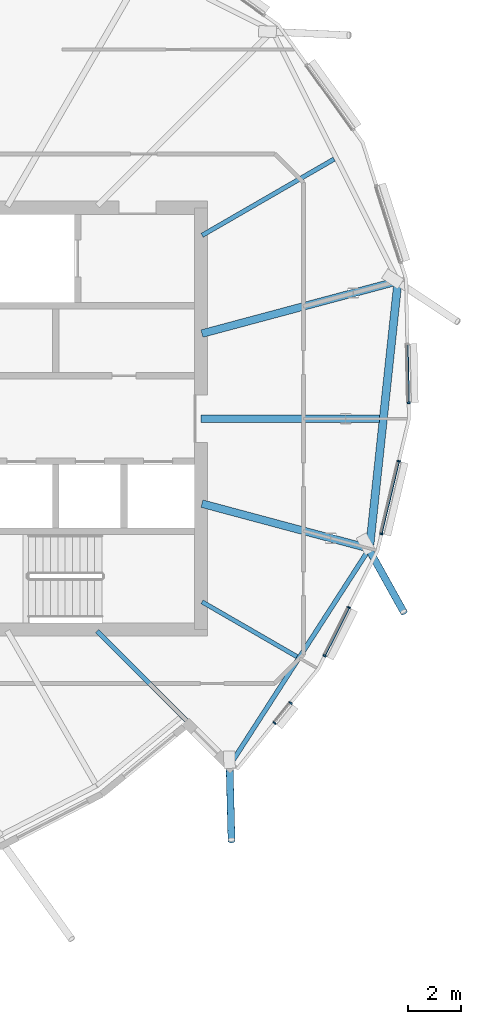
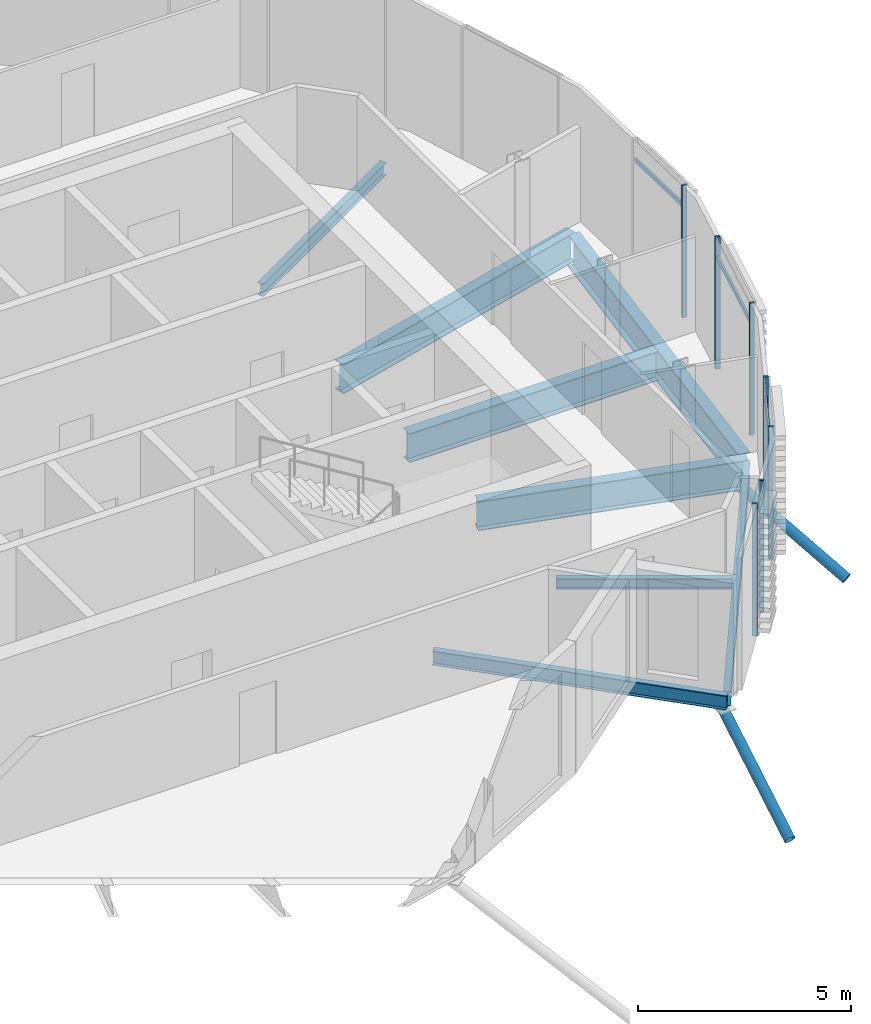
# One storey, part 12 of 41: 12 members, 8 beams, 1 element without a shape of its own.
"""IFC4 building model written with IfcOpenShell, lengths in metres."""

from ifc_helpers import new_model, si_unit, direction, frame, origin, origin_2d, place, context, subcontext, project, spatial, rectangle, hollow_circle, i_section, extrude, clip, halfspace, material, material_profile, profile_set, type_object, element, aggregate, save


model = new_model("IFC4")

# Units and contexts
model_context = context("Model", 3, precision=1e-05, world=origin(), true_north=direction((0.0, 1.0)))
body_context = subcontext(model_context, "Body", "Model", "MODEL_VIEW")
ifc_project = project(units=[si_unit("LENGTHUNIT", "METRE"), si_unit("AREAUNIT", "SQUARE_METRE"), si_unit("VOLUMEUNIT", "CUBIC_METRE"), si_unit("PLANEANGLEUNIT", "RADIAN"), si_unit("MASSUNIT", "GRAM", prefix="KILO")], contexts=[model_context])

# Site, building, storey
site_placement = place(None, origin())
site = spatial("IfcSite", under=ifc_project, at=site_placement, CompositionType="ELEMENT")
building_placement = place(site_placement, origin())
building = spatial("IfcBuilding", under=site, at=building_placement, Name="Rimbun Link Towers", CompositionType="ELEMENT")
storey_placement = place(building_placement, frame((0.0, 0.0, 214.300048828125)))
storey = spatial("IfcBuildingStorey", under=building, at=storey_placement, Name="L52", CompositionType="ELEMENT", Elevation=214.300048828125)

# Curtain wall, members
ifc_material_1 = material(Name="Aluminium 6063-T6 and low-iron glass", Category="aluminium")
curtain_wall_type = type_object("IfcCurtainWallType", Name="CW1-Z4 unitised vision wall (zone 4)", PredefinedType="NOTDEFINED", material=ifc_material_1)
curtain_wall_placement = place(storey_placement, origin())
curtain_wall = element("IfcCurtainWall", 1, at=curtain_wall_placement, inside=storey, type_object=curtain_wall_type, Name="CW1 L52 T2", PredefinedType="NOTDEFINED")
ifc_material_2 = material(Name="Aluminium 6063-T6", Category="aluminium")
ifc_material_profile_1 = material_profile(ifc_material_2, rectangle(XDim=0.1201171875, YDim=0.06005859375, at=origin_2d()), Name="MULLION 60X120")
ifc_profile_set_1 = profile_set([ifc_material_profile_1], Name="Aluminium 6063-T6")
member_type_1 = type_object("IfcMemberType", Name="CW1 mullion 60X120", PredefinedType="MULLION", material=ifc_profile_set_1)
member_1_placement = place(storey_placement, frame((47.15478515625, -10.78662109375, 0.0), z_axis=(0.0, 0.0, 1.0), x_axis=(0.777266138538, -0.629171955734, 0.0)))
member_1 = element("IfcMember", 2, at=member_1_placement, type_object=member_type_1, Name="CW1 mullion", PredefinedType="MULLION", context=body_context, shape_type="SweptSolid", body=[
    extrude(rectangle(XDim=0.1201171875, YDim=0.06005859375, at=origin_2d()), origin(), (0.0, 0.0, 1.0), 3.800048828125),
])
member_2_placement = place(storey_placement, frame((46.5400390625, -11.546142578125, 0.0), z_axis=(0.0, 0.0, 1.0), x_axis=(0.777266138538, -0.629171955734, 0.0)))
member_2 = element("IfcMember", 3, at=member_2_placement, type_object=member_type_1, Name="CW1 mullion", PredefinedType="MULLION", context=body_context, shape_type="SweptSolid", body=[
    extrude(rectangle(XDim=0.1201171875, YDim=0.06005859375, at=origin_2d()), origin(), (0.0, 0.0, 1.0), 3.800048828125),
])
member_3_placement = place(storey_placement, frame((49.3681640625, -7.166748046875, 0.0), z_axis=(0.0, 0.0, 1.0), x_axis=(0.893650392723, -0.448763830524, 0.0)))
member_3 = element("IfcMember", 4, at=member_3_placement, type_object=member_type_1, Name="CW1 mullion", PredefinedType="MULLION", context=body_context, shape_type="SweptSolid", body=[
    extrude(rectangle(XDim=0.1201171875, YDim=0.06005859375, at=origin_2d()), origin(), (0.0, 0.0, 1.0), 3.800048828125),
])
member_4_placement = place(storey_placement, frame((48.44677734375, -9.001708984375, 0.0), z_axis=(0.0, 0.0, 1.0), x_axis=(0.893650392723, -0.448763830524, 0.0)))
member_4 = element("IfcMember", 5, at=member_4_placement, type_object=member_type_1, Name="CW1 mullion", PredefinedType="MULLION", context=body_context, shape_type="SweptSolid", body=[
    extrude(rectangle(XDim=0.1201171875, YDim=0.06005859375, at=origin_2d()), origin(), (0.0, 0.0, 1.0), 3.800048828125),
])
member_5_placement = place(storey_placement, frame((51.260986328125, -1.61865234375, 0.0), z_axis=(0.0, 0.0, 1.0), x_axis=(0.972572572168, -0.232599638579, 0.0)))
member_5 = element("IfcMember", 6, at=member_5_placement, type_object=member_type_1, Name="CW1 mullion", PredefinedType="MULLION", context=body_context, shape_type="SweptSolid", body=[
    extrude(rectangle(XDim=0.1201171875, YDim=0.06005859375, at=origin_2d()), origin(), (0.0, 0.0, 1.0), 3.800048828125),
])
member_6_placement = place(storey_placement, frame((50.601318359375, -4.376708984375, 0.0), z_axis=(0.0, 0.0, 1.0), x_axis=(0.972572572168, -0.232599638579, 0.0)))
member_6 = element("IfcMember", 7, at=member_6_placement, type_object=member_type_1, Name="CW1 mullion", PredefinedType="MULLION", context=body_context, shape_type="SweptSolid", body=[
    extrude(rectangle(XDim=0.1201171875, YDim=0.06005859375, at=origin_2d()), origin(), (0.0, 0.0, 1.0), 3.800048828125),
])
member_7_placement = place(storey_placement, frame((51.633544921875, 0.60107421875, 0.0), z_axis=(0.0, 0.0, 1.0), x_axis=(0.999778345459, 0.021053739591, 0.0)))
member_7 = element("IfcMember", 8, at=member_7_placement, type_object=member_type_1, Name="CW1 mullion", PredefinedType="MULLION", context=body_context, shape_type="SweptSolid", body=[
    extrude(rectangle(XDim=0.1201171875, YDim=0.06005859375, at=origin_2d()), origin(), (0.0, 0.0, 1.0), 3.800048828125),
])
ifc_material_3 = material(Name="Aluminium 6063-T6", Category="aluminium")
ifc_material_profile_2 = material_profile(ifc_material_3, rectangle(XDim=0.06005859375, YDim=0.1201171875, at=origin_2d()), Name="TRANSOM 60X120")
ifc_profile_set_2 = profile_set([ifc_material_profile_2], Name="Aluminium 6063-T6")
member_type_2 = type_object("IfcMemberType", Name="CW1 transom 60X120", PredefinedType="USERDEFINED", material=ifc_profile_set_2)
member_8_placement = place(storey_placement, frame((49.35302734375, -7.192626953125, 3.199951171875), z_axis=(-0.448731583974, -0.893666585223, 0.0), x_axis=(0.893666585223, -0.448731583974, 0.0)))
member_8 = element("IfcMember", 9, at=member_8_placement, type_object=member_type_2, Name="CW1 transom", ObjectType="TRANSOM", PredefinedType="USERDEFINED", context=body_context, shape_type="SweptSolid", body=[
    extrude(rectangle(XDim=0.06005859375, YDim=0.1201171875, at=origin_2d()), origin(), (0.0, 0.0, 1.0), 1.993408203125),
])
member_9_placement = place(storey_placement, frame((51.251953125, -1.6474609375, 3.199951171875), z_axis=(-0.232631086863, -0.972565050485, 0.0), x_axis=(0.972565050485, -0.232631086863, 0.0)))
member_9 = element("IfcMember", 10, at=member_9_placement, type_object=member_type_2, Name="CW1 transom", ObjectType="TRANSOM", PredefinedType="USERDEFINED", context=body_context, shape_type="SweptSolid", body=[
    extrude(rectangle(XDim=0.06005859375, YDim=0.1201171875, at=origin_2d()), origin(), (0.0, 0.0, 1.0), 2.77587890625),
])
member_10_placement = place(storey_placement, frame((51.585205078125, 2.80712890625, 3.199951171875), z_axis=(0.021088095234, -0.999777621394, 0.0), x_axis=(0.999777621394, 0.021088095234, 0.0)))
member_10 = element("IfcMember", 11, at=member_10_placement, type_object=member_type_2, Name="CW1 transom", ObjectType="TRANSOM", PredefinedType="USERDEFINED", context=body_context, shape_type="SweptSolid", body=[
    extrude(rectangle(XDim=0.06005859375, YDim=0.1201171875, at=origin_2d()), origin(), (0.0, 0.0, 1.0), 2.176513671875),
])
aggregate(curtain_wall, [member_1, member_2, member_3, member_4, member_5, member_6, member_7, member_8, member_9, member_10])

# Members
ifc_material_4 = material(Name="Steel S355J2H", Category="steel")
ifc_material_profile_3 = material_profile(ifc_material_4, hollow_circle(Radius=0.136474609375, WallThickness=0.012451171875, at=origin_2d()), Name="CHS 273x12.5")
ifc_profile_set_3 = profile_set([ifc_material_profile_3], Name="Steel S355J2H")
member_type_3 = type_object("IfcMemberType", Name="Floor edge link CHS 273x12.5", PredefinedType="BRACE", material=ifc_profile_set_3)
member_11_placement = place(storey_placement, frame((44.8330078125, -13.0830078125, -0.660888671875), z_axis=(0.021967831403, -0.836863146939, -0.54697119456), x_axis=(0.999655641255, 0.026241168187, 0.0)))
element("IfcMember", 12, at=member_11_placement, inside=storey, type_object=member_type_3, Name="Floor edge link T2 L52 18", PredefinedType="BRACE", context=body_context, shape_type="Clipping", body=[
    clip(extrude(hollow_circle(Radius=0.136474609375, WallThickness=0.012451171875, at=origin_2d()), frame((0.0, 0.0, -0.43603515625)), (0.0, 0.0, 1.0), 3.947998046875), halfspace(frame((0.0, 0.0, -0.20556640625), z_axis=(0.0, 0.837151427354, -0.54697119456)), False)),
])
member_12_placement = place(storey_placement, frame((50.0966796875, -4.916015625, -1.1005859375), z_axis=(0.426794787176, -0.767402484739, -0.478476369381), x_axis=(0.873934756355, 0.486043250786, 0.0)))
element("IfcMember", 13, at=member_12_placement, inside=storey, type_object=member_type_3, Name="Floor edge link T2 L52 20", PredefinedType="BRACE", context=body_context, shape_type="Clipping", body=[
    clip(extrude(hollow_circle(Radius=0.136474609375, WallThickness=0.012451171875, at=origin_2d()), frame((0.0, 0.0, -0.52197265625)), (0.0, 0.0, 1.0), 3.705810546875), halfspace(frame((0.0, 0.0, -0.246337890625), z_axis=(0.0, 0.878100429304, -0.478476369381)), False)),
])

# Beams
ifc_material_5 = material(Name="Steel S355J2", Category="steel")
ifc_material_profile_4 = material_profile(ifc_material_5, i_section(OverallWidth=0.1650390625, OverallDepth=0.303466796875, WebThickness=0.006103515625, FlangeThickness=0.01025390625, at=origin_2d()), Name="UB 305x165x40")
ifc_profile_set_4 = profile_set([ifc_material_profile_4], Name="Steel S355J2")
beam_type_1 = type_object("IfcBeamType", Name="UB 305x165x40", PredefinedType="BEAM", material=ifc_profile_set_4)
beam_1_placement = place(storey_placement, frame((43.7919921875, -6.952392578125, -0.291748046875), z_axis=(0.866020402632, -0.50000866215, 0.0), x_axis=(0.50000866215, 0.866020402632, 0.0)))
element("IfcBeam", 14, at=beam_1_placement, inside=storey, type_object=beam_type_1, Name="Radial beam T2 L52 19", PredefinedType="BEAM", context=body_context, shape_type="SweptSolid", body=[
    extrude(i_section(OverallWidth=0.1650390625, OverallDepth=0.303466796875, WebThickness=0.006103515625, FlangeThickness=0.01025390625, at=origin_2d()), origin(), (0.0, 0.0, 1.0), 4.15966796875),
])
ifc_material_6 = material(Name="Steel S355J2", Category="steel")
ifc_material_profile_5 = material_profile(ifc_material_6, i_section(OverallWidth=0.17138671875, OverallDepth=0.35498046875, WebThickness=0.00732421875, FlangeThickness=0.011474609375, at=origin_2d()), Name="UB 356x171x51")
ifc_profile_set_5 = profile_set([ifc_material_profile_5], Name="Steel S355J2")
beam_type_2 = type_object("IfcBeamType", Name="UB 356x171x51", PredefinedType="BEAM", material=ifc_profile_set_5)
beam_2_placement = place(storey_placement, frame((43.793701171875, 6.95361328125, -0.317626953125), z_axis=(0.866032388169, 0.499987902496, 0.0), x_axis=(-0.499987902496, 0.866032388169, 0.0)))
element("IfcBeam", 15, at=beam_2_placement, inside=storey, type_object=beam_type_2, Name="Radial beam T2 L52 23", PredefinedType="BEAM", context=body_context, shape_type="SweptSolid", body=[
    extrude(i_section(OverallWidth=0.17138671875, OverallDepth=0.35498046875, WebThickness=0.00732421875, FlangeThickness=0.011474609375, at=origin_2d()), origin(), (0.0, 0.0, 1.0), 5.785400390625),
])
ifc_material_7 = material(Name="Steel S355J2", Category="steel")
ifc_material_profile_6 = material_profile(ifc_material_7, i_section(OverallWidth=0.177978515625, OverallDepth=0.406494140625, WebThickness=0.0078125, FlangeThickness=0.0126953125, at=origin_2d()), Name="UB 406x178x60")
ifc_profile_set_6 = profile_set([ifc_material_profile_6], Name="Steel S355J2")
beam_type_3 = type_object("IfcBeamType", Name="UB 406x178x60", PredefinedType="BEAM", material=ifc_profile_set_6)
beam_3_placement = place(storey_placement, frame((39.813720703125, -8.063720703125, -0.34326171875), z_axis=(0.707106781187, -0.707106781187, 0.0), x_axis=(0.707106781187, 0.707106781187, 0.0)))
element("IfcBeam", 16, at=beam_3_placement, inside=storey, type_object=beam_type_3, Name="Radial beam T2 L52 18", PredefinedType="BEAM", context=body_context, shape_type="SweptSolid", body=[
    extrude(i_section(OverallWidth=0.177978515625, OverallDepth=0.406494140625, WebThickness=0.0078125, FlangeThickness=0.0126953125, at=origin_2d()), origin(), (0.0, 0.0, 1.0), 7.1484375),
])
beam_4_placement = place(storey_placement, frame((44.918212890625, -13.041015625, -0.34326171875), z_axis=(0.541626647859, 0.840619161291, 0.0), x_axis=(-0.840619161291, 0.541626647859, 0.0)))
element("IfcBeam", 17, at=beam_4_placement, inside=storey, type_object=beam_type_3, Name="Edge beam T2 L52 18-20", PredefinedType="BEAM", context=body_context, shape_type="SweptSolid", body=[
    extrude(i_section(OverallWidth=0.177978515625, OverallDepth=0.406494140625, WebThickness=0.0078125, FlangeThickness=0.0126953125, at=origin_2d()), origin(), (0.0, 0.0, 1.0), 9.49560546875),
])
ifc_material_8 = material(Name="Steel S355J2", Category="steel")
ifc_material_profile_7 = material_profile(ifc_material_8, i_section(OverallWidth=0.29248046875, OverallDepth=0.8408203125, WebThickness=0.0126953125, FlangeThickness=0.021728515625, at=origin_2d()), Name="UB 838x292x194")
ifc_profile_set_7 = profile_set([ifc_material_profile_7], Name="Steel S355J2")
beam_type_4 = type_object("IfcBeamType", Name="UB 838x292x194", PredefinedType="BEAM", material=ifc_profile_set_7)
beam_5_placement = place(storey_placement, frame((43.788818359375, -3.225830078125, -0.560302734375), z_axis=(0.965926357064, -0.258817064216, 0.0), x_axis=(0.258817064216, 0.965926357064, 0.0)))
element("IfcBeam", 18, at=beam_5_placement, inside=storey, type_object=beam_type_4, Name="Radial beam T2 L52 20", PredefinedType="BEAM", context=body_context, shape_type="SweptSolid", body=[
    extrude(i_section(OverallWidth=0.29248046875, OverallDepth=0.8408203125, WebThickness=0.0126953125, FlangeThickness=0.021728515625, at=origin_2d()), origin(), (0.0, 0.0, 1.0), 6.580322265625),
])
beam_6_placement = place(storey_placement, frame((43.7509765625, 0.0, -0.560302734375), z_axis=(1.0, 0.0, 0.0), x_axis=(0.0, 1.0, 0.0)))
element("IfcBeam", 19, at=beam_6_placement, inside=storey, type_object=beam_type_4, Name="Radial beam T2 L52 21", PredefinedType="BEAM", context=body_context, shape_type="SweptSolid", body=[
    extrude(i_section(OverallWidth=0.29248046875, OverallDepth=0.8408203125, WebThickness=0.0126953125, FlangeThickness=0.021728515625, at=origin_2d()), origin(), (0.0, 0.0, 1.0), 6.7646484375),
])
beam_7_placement = place(storey_placement, frame((43.788818359375, 3.225830078125, -0.560302734375), z_axis=(0.965924274196, 0.258824837522, 0.0), x_axis=(-0.258824837522, 0.965924274196, 0.0)))
element("IfcBeam", 20, at=beam_7_placement, inside=storey, type_object=beam_type_4, Name="Radial beam T2 L52 22", PredefinedType="BEAM", context=body_context, shape_type="SweptSolid", body=[
    extrude(i_section(OverallWidth=0.29248046875, OverallDepth=0.8408203125, WebThickness=0.0126953125, FlangeThickness=0.021728515625, at=origin_2d()), origin(), (0.0, 0.0, 1.0), 7.699951171875),
])
ifc_material_9 = material(Name="Steel S355J2", Category="steel")
ifc_material_profile_8 = material_profile(ifc_material_9, i_section(OverallWidth=0.305419921875, OverallDepth=0.91845703125, WebThickness=0.017333984375, FlangeThickness=0.02783203125, at=origin_2d()), Name="UB 914x305x253")
ifc_profile_set_8 = profile_set([ifc_material_profile_8], Name="Steel S355J2")
beam_type_5 = type_object("IfcBeamType", Name="UB 914x305x253", PredefinedType="BEAM", material=ifc_profile_set_8)
beam_8_placement = place(storey_placement, frame((50.160888671875, -4.78076171875, -0.599365234375), z_axis=(0.105958328538, 0.994370571072, 0.0), x_axis=(-0.994370571072, 0.105958328538, 0.0)))
element("IfcBeam", 21, at=beam_8_placement, inside=storey, type_object=beam_type_5, Name="Edge beam T2 L52 20-22", PredefinedType="BEAM", context=body_context, shape_type="SweptSolid", body=[
    extrude(i_section(OverallWidth=0.305419921875, OverallDepth=0.91845703125, WebThickness=0.017333984375, FlangeThickness=0.02783203125, at=origin_2d()), origin(), (0.0, 0.0, 1.0), 9.8984375),
])

save(model, "model.ifc")
